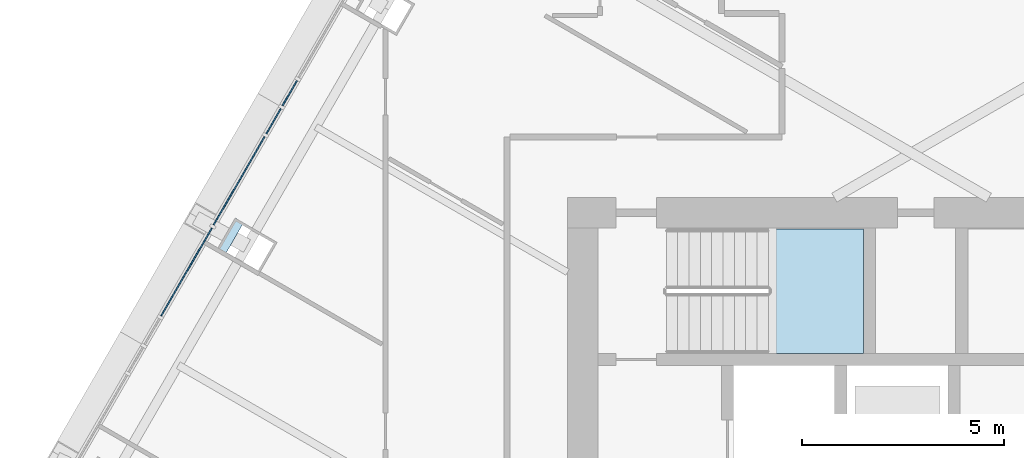
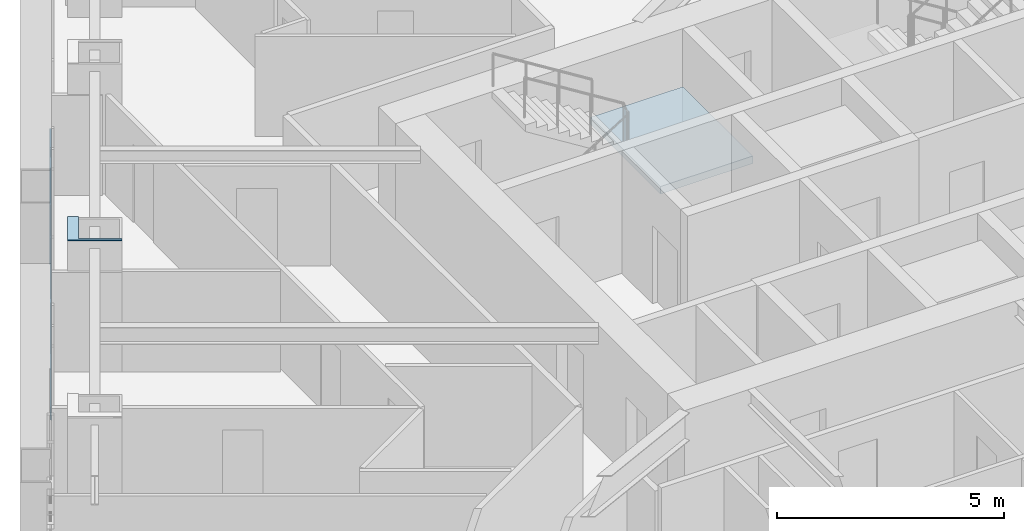
# One storey, part 14 of 24: 5 plates, 1 slab, 2 elements without a shape of their own.
"""IFC4 building model written with IfcOpenShell, lengths in metres."""

from ifc_helpers import new_model, si_unit, direction, frame, origin, place, context, subcontext, project, spatial, polyline, outline, extrude, material, layer, layer_set, type_object, element, aggregate, save


model = new_model("IFC4")

# Units and contexts
model_context = context("Model", 3, precision=1e-05, world=origin(), true_north=direction((0.0, 1.0)))
body_context = subcontext(model_context, "Body", "Model", "MODEL_VIEW")
ifc_project = project(units=[si_unit("LENGTHUNIT", "METRE"), si_unit("AREAUNIT", "SQUARE_METRE"), si_unit("VOLUMEUNIT", "CUBIC_METRE"), si_unit("PLANEANGLEUNIT", "RADIAN"), si_unit("MASSUNIT", "GRAM", prefix="KILO")], contexts=[model_context])

# Site, building, storey
site_placement = place(None, origin())
site = spatial("IfcSite", under=ifc_project, at=site_placement, CompositionType="ELEMENT")
building_placement = place(site_placement, origin())
building = spatial("IfcBuilding", under=site, at=building_placement, Name="Firuza Gate Tower and Library", CompositionType="ELEMENT")
storey_placement = place(building_placement, frame((0.0, 0.0, 260.10009765625)))
storey = spatial("IfcBuildingStorey", under=building, at=storey_placement, Name="L61", CompositionType="ELEMENT", Elevation=260.10009765625)

# Plate
ifc_material_1 = material(Name="Steel S355", Category="steel")
ifc_layer_1 = layer(ifc_material_1, 0.030029296875)
ifc_layer_set_1 = layer_set([ifc_layer_1], Name="Column infill plate 30 Steel S355")
plate_type_1 = type_object("IfcPlateType", Name="Column infill plate 30 Steel S355", PredefinedType="SHEET", material=ifc_layer_set_1)
plate_1_placement = place(storey_placement, frame((0.0, 0.0, 3.5)))
element("IfcPlate", 1, at=plate_1_placement, inside=storey, type_object=plate_type_1, Name="Infill plate L61:W4", PredefinedType="SHEET", context=body_context, shape_type="SweptSolid", body=[
    extrude(outline(polyline([(58.8740234375, 79.86474609375), (58.9033203125, 79.91552734375), (58.069580078125, 80.39697265625), (58.490234375, 81.12548828125), (58.284912109375, 81.244140625), (57.834716796875, 80.46484375), (58.8740234375, 79.86474609375)])), origin(), (0.0, 0.0, 1.0), 0.02978515625),
])

# Curtain wall, plates
ifc_material_2 = material(Name="Aluminium 6063-T6", Category="aluminium")
ifc_layer_2 = layer(ifc_material_2, 0.14990234375)
ifc_layer_set_2 = layer_set([ifc_layer_2], Name="Unitised curtain wall, residences")
curtain_wall_type = type_object("IfcCurtainWallType", Name="Unitised curtain wall, residences", PredefinedType="NOTDEFINED", material=ifc_layer_set_2)
placement = place(storey_placement, origin())
curtain_wall = element("IfcCurtainWall", 2, at=placement, inside=storey, type_object=curtain_wall_type, Name="CW3 L61 W face", PredefinedType="NOTDEFINED")
ifc_material_3 = material(Name="Fritted glass", Category="glass")
ifc_layer_3 = layer(ifc_material_3, 0.030029296875)
ifc_layer_set_3 = layer_set([ifc_layer_3], Name="Fritted glass unit, residences")
plate_type_2 = type_object("IfcPlateType", Name="Fritted glass unit, residences", PredefinedType="CURTAIN_PANEL", material=ifc_layer_set_3)
plate_2_placement = place(storey_placement, frame((59.802490234375, 84.65283203125, 0.14990234375), z_axis=(-0.866067146763, 0.49992769207, 0.0), x_axis=(-0.49992769207, -0.866067146763, 0.0)))
plate_2 = element("IfcPlate", 3, at=plate_2_placement, type_object=plate_type_2, Name="Glass unit", PredefinedType="CURTAIN_PANEL", context=body_context, shape_type="SweptSolid", body=[
    extrude(outline(polyline([(0.0, 0.0), (0.7208073651775795, 0.0), (0.7208073651775795, 3.14990234375), (0.0, 3.14990234375), (0.0, 0.0)])), origin(), (0.0, 0.0, -1.0), 0.030029296875),
])
plate_3_placement = place(storey_placement, frame((59.402099609375, 83.959228515625, 0.14990234375), z_axis=(-0.865920485182, 0.500181680334, 0.0), x_axis=(-0.500181680334, -0.865920485182, 0.0)))
plate_3 = element("IfcPlate", 4, at=plate_3_placement, type_object=plate_type_2, Name="Glass unit", PredefinedType="CURTAIN_PANEL", context=body_context, shape_type="SweptSolid", body=[
    extrude(outline(polyline([(0.0, 0.0), (0.7209294488438284, 0.0), (0.7209294488438284, 3.14990234375), (0.0, 3.14990234375), (0.0, 0.0)])), origin(), (0.0, 0.0, -1.0), 0.030029296875),
])
ifc_material_4 = material(Name="Glazed ceramic tile")
ifc_layer_4 = layer(ifc_material_4, 0.030029296875)
ifc_layer_set_4 = layer_set([ifc_layer_4], Name="Opaque ceramic panel, residences")
plate_type_3 = type_object("IfcPlateType", Name="Opaque ceramic panel, residences", PredefinedType="CURTAIN_PANEL", material=ifc_layer_set_4)
plate_4_placement = place(storey_placement, frame((59.001708984375, 83.265625, 0.14990234375), z_axis=(-0.86602137294, 0.500006981563, 0.0), x_axis=(-0.500006981563, -0.86602137294, 0.0)))
plate_4 = element("IfcPlate", 5, at=plate_4_placement, type_object=plate_type_3, Name="Opaque ceramic panel", PredefinedType="CURTAIN_PANEL", context=body_context, shape_type="SweptSolid", body=[
    extrude(outline(polyline([(0.0, 0.0), (2.525355363143829, 0.0), (2.525355363143829, 3.14990234375), (0.0, 3.14990234375), (0.0, 0.0)])), origin(), (0.0, 0.0, -1.0), 0.030029296875),
])
plate_5_placement = place(storey_placement, frame((57.698974609375, 81.009521484375, 0.14990234375), z_axis=(-0.866004381803, 0.500036409372, 0.0), x_axis=(-0.500036409372, -0.866004381803, 0.0)))
plate_5 = element("IfcPlate", 6, at=plate_5_placement, type_object=plate_type_3, Name="Opaque ceramic panel", PredefinedType="CURTAIN_PANEL", context=body_context, shape_type="SweptSolid", body=[
    extrude(outline(polyline([(0.0, 0.0), (2.513000600203, 0.0), (2.513000600203, 3.149902343750001), (0.0, 3.149902343750001), (0.0, 0.0)])), origin(), (0.0, 0.0, -1.0), 0.030029296875),
])
aggregate(curtain_wall, [plate_2, plate_3, plate_4, plate_5])

# Stair, slab
ifc_material_5 = material(Name="Concrete C35/45", Category="concrete")
stair_type = type_object("IfcStairType", Name="Exit stair ST8", PredefinedType="HALF_TURN_STAIR", material=ifc_material_5)
stair = element("IfcStair", 7, at=placement, inside=storey, type_object=stair_type, Name="L61 Stair ST1", PredefinedType="HALF_TURN_STAIR")
ifc_material_6 = material(Name="Concrete C35/45", Category="concrete")
ifc_layer_5 = layer(ifc_material_6, 0.199951171875)
ifc_layer_set_5 = layer_set([ifc_layer_5], Name="Stair landing 200")
slab_type = type_object("IfcSlabType", Name="Stair landing 200", PredefinedType="LANDING", material=ifc_layer_set_5)
slab_placement = place(storey_placement, frame((0.0, 0.0, 1.5498046875)))
slab = element("IfcSlab", 8, at=slab_placement, type_object=slab_type, Name="ST1 landing 1", PredefinedType="LANDING", context=body_context, shape_type="SweptSolid", body=[
    extrude(outline(polyline([(71.4599609375, 77.89990234375), (73.81005859375, 77.89990234375), (73.81005859375, 80.97998046875), (71.4599609375, 80.97998046875), (71.4599609375, 77.89990234375)])), origin(), (0.0, 0.0, 1.0), 0.2001953125),
])
aggregate(stair, [slab])

save(model, "model.ifc")
